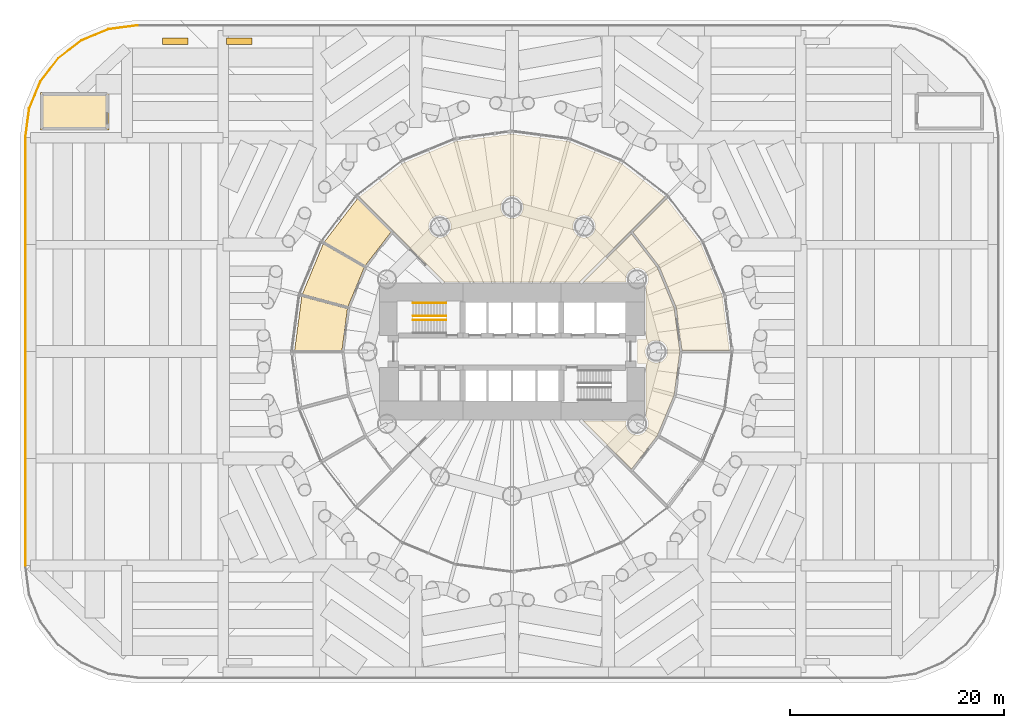
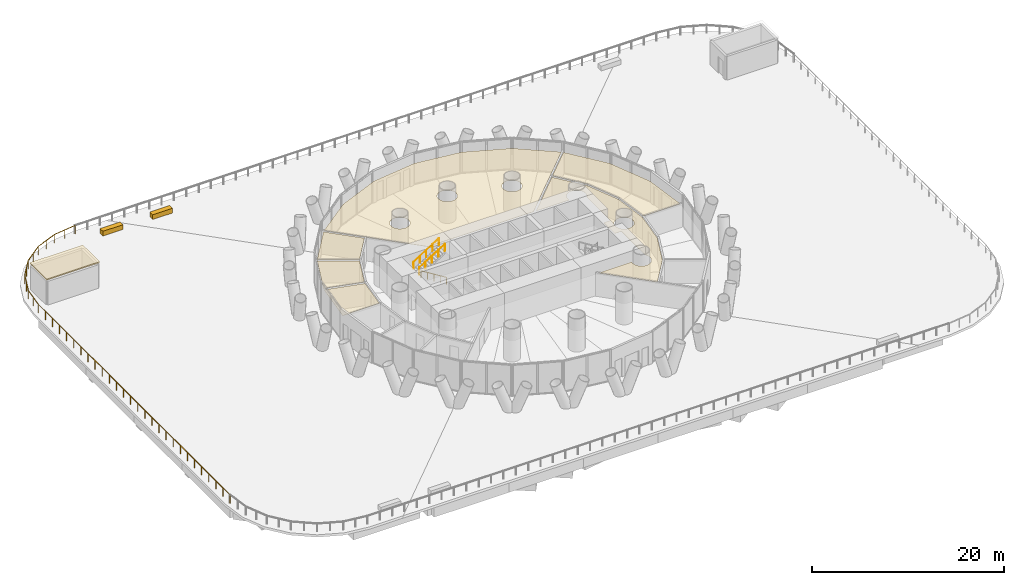
# One storey, part 18 of 19: 9 coverings, 4 railings.
"""IFC4 building model written with IfcOpenShell, lengths in metres."""

import ifcopenshell
import ifcopenshell.guid

model = None  # the IFC model being written
_history = None  # IfcOwnerHistory: only IFC2X3 demands one
_inside = {}  # id of a spatial element -> (the spatial element, [elements in it])
_under = {}  # id of a project, library or spatial element -> (it, [spatial elements below it])
_declared = {}  # id of a project -> (the project, [libraries it declares])
_typed = {}  # id of a type object -> (the type object, [elements of that type])
_made_of = {}  # id of a material, layer set ... -> (it, [elements and type objects made of it])


def new_model(schema):
    """Start an empty IFC model of exactly this schema.

    Asked for "IFC4X3", IfcOpenShell would pick the latest addendum, in which some entities
    have other attributes; the version numbers below select the first issue.
    IFC2X3 requires an IfcOwnerHistory on every rooted entity: one is made here for all.
    """
    global model, _history
    if schema == "IFC4X3":
        model = ifcopenshell.file(schema_version=(4, 3, 0, 0))
    else:
        model = ifcopenshell.file(schema=schema)
    _inside.clear()
    _under.clear()
    _declared.clear()
    _typed.clear()
    _made_of.clear()
    _history = None
    if model.schema == "IFC2X3":
        org = make("IfcOrganization", Name="unknown")
        user = make(
            "IfcPersonAndOrganization",
            ThePerson=make("IfcPerson", FamilyName="unknown"),
            TheOrganization=org,
        )
        app = make(
            "IfcApplication",
            ApplicationDeveloper=org,
            Version="unknown",
            ApplicationFullName="unknown",
            ApplicationIdentifier="unknown",
        )
        _history = make(
            "IfcOwnerHistory",
            OwningUser=user,
            OwningApplication=app,
            ChangeAction="ADDED",
            CreationDate=0,
        )
    return model


def make(cls, **values):
    """One entity of the class cls with the attributes given. An attribute that is None is left unset."""
    return model.create_entity(
        cls, **{name: value for name, value in values.items() if value is not None}
    )


def rooted(cls, **values):
    """An entity with a GlobalId (a new one), such as an element, a storey or a relation."""
    return make(cls, GlobalId=ifcopenshell.guid.new(), OwnerHistory=_history, **values)


def si_unit(unit_type, name, prefix=None):
    """IfcSIUnit, for example si_unit("LENGTHUNIT", "METRE", prefix="MILLI")."""
    return make("IfcSIUnit", UnitType=unit_type, Prefix=prefix, Name=name)


def assignment(units):
    """IfcUnitAssignment: the units of a project."""
    return None if units is None else make("IfcUnitAssignment", Units=units)


def point(xyz):
    """IfcCartesianPoint."""
    return None if xyz is None else make("IfcCartesianPoint", Coordinates=xyz)


def direction(xyz):
    """IfcDirection."""
    return None if xyz is None else make("IfcDirection", DirectionRatios=xyz)


def frame(location, z_axis=None, x_axis=None):
    """IfcAxis2Placement3D, a coordinate frame: its origin and axes. An axis left out is left unset."""
    return make(
        "IfcAxis2Placement3D",
        Location=point(location),
        Axis=direction(z_axis),
        RefDirection=direction(x_axis),
    )


def frame_2d(location, x_axis=None):
    """IfcAxis2Placement2D, a coordinate frame in the plane: its origin and x axis."""
    return make(
        "IfcAxis2Placement2D", Location=point(location), RefDirection=direction(x_axis)
    )


def origin():
    """The frame at (0, 0, 0) with its axes left unset."""
    return frame((0.0, 0.0, 0.0))


def origin_2d():
    """The frame at (0, 0) in the plane with its x axis left unset."""
    return frame_2d((0.0, 0.0))


def place(relative_to, where):
    """IfcLocalPlacement: puts the frame where relative to a parent placement (None: the world)."""
    return make(
        "IfcLocalPlacement", PlacementRelTo=relative_to, RelativePlacement=where
    )


def context(
    kind, dimensions, precision=None, world=None, true_north=None, identifier=None
):
    """IfcGeometricRepresentationContext, for example the 3D "Model" context."""
    return make(
        "IfcGeometricRepresentationContext",
        ContextIdentifier=identifier,
        ContextType=kind,
        CoordinateSpaceDimension=dimensions,
        Precision=precision,
        WorldCoordinateSystem=world,
        TrueNorth=true_north,
    )


def subcontext(parent, identifier, kind, view, scale=None):
    """IfcGeometricRepresentationSubContext, for example "Body" below "Model"."""
    return make(
        "IfcGeometricRepresentationSubContext",
        ContextIdentifier=identifier,
        ContextType=kind,
        ParentContext=parent,
        TargetScale=scale,
        TargetView=view,
    )


def project(units=None, contexts=None):
    """IfcProject with its units and contexts."""
    return rooted(
        "IfcProject",
        Name="project",
        RepresentationContexts=contexts,
        UnitsInContext=assignment(units),
    )


def spatial(cls, under=None, at=None, **own):
    """A site, building, storey or space (cls), placed at a placement, below another one or the project."""
    s = rooted(cls, ObjectPlacement=at, **own)
    if under is not None:
        _under.setdefault(under.id(), (under, []))[1].append(s)
    return s


def polyline(points):
    """IfcPolyline through the points."""
    return make("IfcPolyline", Points=[point(p) for p in points])


def profile(cls, at=None, kind="AREA", **sizes):
    """A parametric profile (cls). Its sizes go by their IFC names, for example OverallWidth=200.0."""
    return make(cls, ProfileType=kind, Position=at, **sizes)


def rectangle(**sizes):
    """IfcRectangleProfileDef."""
    return profile("IfcRectangleProfileDef", **sizes)


def circle(**sizes):
    """IfcCircleProfileDef."""
    return profile("IfcCircleProfileDef", **sizes)


def outline(outer, holes=None, kind="AREA"):
    """IfcArbitraryClosedProfileDef: a profile drawn as a closed curve; with holes, ...WithVoids."""
    if holes is None:
        return make("IfcArbitraryClosedProfileDef", ProfileType=kind, OuterCurve=outer)
    return make(
        "IfcArbitraryProfileDefWithVoids",
        ProfileType=kind,
        OuterCurve=outer,
        InnerCurves=holes,
    )


def extrude(swept, where, along, depth):
    """IfcExtrudedAreaSolid: the profile swept, set in the frame where, extruded along a direction by depth."""
    return make(
        "IfcExtrudedAreaSolid",
        SweptArea=swept,
        Position=where,
        ExtrudedDirection=direction(along),
        Depth=depth,
    )


def shape(context_of_items, identifier, shape_type, items):
    """IfcShapeRepresentation: the items that make up one representation, for example the "Body"."""
    return make(
        "IfcShapeRepresentation",
        ContextOfItems=context_of_items,
        RepresentationIdentifier=identifier,
        RepresentationType=shape_type,
        Items=items,
    )


def material(Name=None, Category=None):
    """IfcMaterial."""
    return make("IfcMaterial", Name=Name, Category=Category)


def layer(
    of_material, thickness, ventilated=None, Name=None, Category=None, Priority=None
):
    """IfcMaterialLayer: one layer of a wall or slab, of a material (None: an air gap)."""
    return make(
        "IfcMaterialLayer",
        Material=of_material,
        LayerThickness=thickness,
        IsVentilated=ventilated,
        Name=Name,
        Category=Category,
        Priority=Priority,
    )


def layer_set(layers, Name=None):
    """IfcMaterialLayerSet."""
    return make("IfcMaterialLayerSet", MaterialLayers=layers, LayerSetName=Name)


def made_of(thing, what):
    """Note that an element or type object is made of a material, layer set ...; save() writes the relation."""
    if what is not None:
        _made_of.setdefault(what.id(), (what, []))[1].append(thing)
    return thing


def type_object(cls, material=None, **own):
    """A type object (cls), such as IfcWallType, which elements share."""
    return made_of(rooted(cls, **own), material)


def element(
    cls,
    number,
    at=None,
    inside=None,
    cuts=None,
    type_object=None,
    material=None,
    context=None,
    identifier="Body",
    shape_type=None,
    held_by="IfcProductDefinitionShape",
    body=None,
    shapes=None,
    **own,
):
    """One element of the class cls, such as IfcWall. Its Tag is "e" and its number.

    at: its placement. inside: the storey or other place that contains it. cuts: it is an
    opening in that element (IfcRelVoidsElement). A single representation is given by context,
    identifier, shape_type and body (its items); several are given by shapes. held_by: the class
    of the entity that holds the representations. save() writes the other relations.
    """
    e = rooted(cls, Tag="e%d" % number, ObjectPlacement=at, **own)
    if body is not None:
        shapes = [shape(context, identifier, shape_type, body)]
    if shapes is not None:
        e.Representation = make(held_by, Representations=shapes)
    if inside is not None:
        _inside.setdefault(inside.id(), (inside, []))[1].append(e)
    if cuts is not None:
        rooted(
            "IfcRelVoidsElement", RelatingBuildingElement=cuts, RelatedOpeningElement=e
        )
    if type_object is not None:
        _typed.setdefault(type_object.id(), (type_object, []))[1].append(e)
    return made_of(e, material)


def aggregate(whole, parts):
    """IfcRelAggregates: a whole, such as a stair, and the parts it consists of."""
    return rooted("IfcRelAggregates", RelatingObject=whole, RelatedObjects=parts)


def save(model, path):
    """Write the relations noted so far, then the file.

    IfcRelAggregates (storeys below a building ...), IfcRelContainedInSpatialStructure (elements
    in a storey), IfcRelDefinesByType, IfcRelAssociatesMaterial and IfcRelDeclares: one each for
    every whole, place, type object, material and project.
    """
    for whole, parts in _under.values():
        aggregate(whole, parts)
    for where, things in _inside.values():
        rooted(
            "IfcRelContainedInSpatialStructure",
            RelatedElements=things,
            RelatingStructure=where,
        )
    for kind, things in _typed.values():
        rooted("IfcRelDefinesByType", RelatedObjects=things, RelatingType=kind)
    for what, things in _made_of.values():
        rooted("IfcRelAssociatesMaterial", RelatedObjects=things, RelatingMaterial=what)
    for by, libraries in _declared.values():
        rooted("IfcRelDeclares", RelatingContext=by, RelatedDefinitions=libraries)
    model.write(path)


model = new_model("IFC4")

# Units and contexts
model_context = context("Model", 3, precision=1e-05, world=origin(), true_north=direction((0.0, 1.0)))
body_context = subcontext(model_context, "Body", "Model", "MODEL_VIEW")
ifc_project = project(units=[si_unit("LENGTHUNIT", "METRE"), si_unit("AREAUNIT", "SQUARE_METRE"), si_unit("VOLUMEUNIT", "CUBIC_METRE"), si_unit("PLANEANGLEUNIT", "RADIAN"), si_unit("MASSUNIT", "GRAM", prefix="KILO")], contexts=[model_context])

# Site, building, storey
site_placement = place(None, origin())
site = spatial("IfcSite", under=ifc_project, at=site_placement, CompositionType="ELEMENT")
building_placement = place(site_placement, origin())
building = spatial("IfcBuilding", under=site, at=building_placement, Name="Qaws Media Tower", CompositionType="ELEMENT")
storey_placement = place(building_placement, frame((0.0, 0.0, 26.0)))
storey = spatial("IfcBuildingStorey", under=building, at=storey_placement, Name="L04", CompositionType="ELEMENT", Elevation=26.0)

# Coverings
ifc_material_1 = material(Name="40 perforated acoustic panels with mineral wool backing, suspended", Category="mineral fibre")
ifc_layer_1 = layer(ifc_material_1, 0.0400390625)
ifc_layer_set_1 = layer_set([ifc_layer_1], Name="Acoustic panel ceiling 40")
covering_type_1 = type_object("IfcCoveringType", Name="Acoustic panel ceiling 40", PredefinedType="CEILING", material=ifc_layer_set_1)
covering_1_placement = place(storey_placement, frame((0.0, 0.0, 2.85009765625)))
element("IfcCovering", 1, at=covering_1_placement, inside=storey, type_object=covering_type_1, Name="CL3 ceiling L04-02 Newsroom", PredefinedType="CEILING", context=body_context, shape_type="SweptSolid", body=[
    extrude(outline(polyline([(77.61083984375, 60.16748046875), (79.642333984375, 55.26318359375), (80.3203125, 50.112548828125), (75.898681640625, 50.112548828125), (75.37109375, 54.11865234375), (73.781494140625, 57.956787109375), (71.321533203125, 61.16259765625), (74.4482421875, 64.289306640625), (77.61083984375, 60.16748046875)])), origin(), (0.0, 0.0, 1.0), 0.039794921875),
])
covering_2_placement = place(storey_placement, frame((0.0, 0.0, 2.85009765625)))
element("IfcCovering", 2, at=covering_2_placement, inside=storey, type_object=covering_type_1, Name="CL3 ceiling L04-03 Newsroom hub", PredefinedType="CEILING", context=body_context, shape_type="SweptSolid", body=[
    extrude(outline(polyline([(49.83251953125, 67.61083984375), (54.73681640625, 69.642333984375), (60.0, 70.335205078125), (65.26318359375, 69.642333984375), (70.16748046875, 67.61083984375), (74.289306640625, 64.4482421875), (66.353515625, 56.512451171875), (53.646484375, 56.512451171875), (45.710693359375, 64.4482421875), (49.83251953125, 67.61083984375)]), holes=[polyline([(54.229248046875, 61.28564453125), (54.27392578125, 61.4169921875), (54.30078125, 61.552978515625), (54.31005859375, 61.69140625), (54.30078125, 61.82958984375), (54.27392578125, 61.9658203125), (54.229248046875, 62.096923828125), (54.16796875, 62.22119140625), (54.091064453125, 62.336669921875), (53.99951171875, 62.44091796875), (53.895263671875, 62.5322265625), (53.780029296875, 62.609375), (53.655517578125, 62.670654296875), (53.5244140625, 62.715087890625), (53.388427734375, 62.7421875), (53.25, 62.751220703125), (53.111572265625, 62.7421875), (52.9755859375, 62.715087890625), (52.844482421875, 62.670654296875), (52.719970703125, 62.609375), (52.604736328125, 62.5322265625), (52.50048828125, 62.44091796875), (52.408935546875, 62.336669921875), (52.33203125, 62.22119140625), (52.270751953125, 62.096923828125), (52.22607421875, 61.9658203125), (52.19921875, 61.82958984375), (52.18994140625, 61.69140625), (52.19921875, 61.552978515625), (52.22607421875, 61.4169921875), (52.270751953125, 61.28564453125), (52.33203125, 61.161376953125), (52.408935546875, 61.046142578125), (52.50048828125, 60.94189453125), (52.604736328125, 60.850341796875), (52.719970703125, 60.7734375), (52.844482421875, 60.7119140625), (52.9755859375, 60.66748046875), (53.111572265625, 60.640380859375), (53.25, 60.63134765625), (53.388427734375, 60.640380859375), (53.5244140625, 60.66748046875), (53.655517578125, 60.7119140625), (53.780029296875, 60.7734375), (53.895263671875, 60.850341796875), (53.99951171875, 60.94189453125), (54.091064453125, 61.046142578125), (54.16796875, 61.161376953125), (54.229248046875, 61.28564453125)]), polyline([(60.979248046875, 63.094482421875), (61.02392578125, 63.2255859375), (61.05078125, 63.361572265625), (61.06005859375, 63.5), (61.05078125, 63.638427734375), (61.02392578125, 63.7744140625), (60.979248046875, 63.905517578125), (60.91796875, 64.030029296875), (60.841064453125, 64.145263671875), (60.74951171875, 64.24951171875), (60.645263671875, 64.341064453125), (60.530029296875, 64.41796875), (60.405517578125, 64.479248046875), (60.2744140625, 64.52392578125), (60.138427734375, 64.55078125), (60.0, 64.56005859375), (59.861572265625, 64.55078125), (59.7255859375, 64.52392578125), (59.594482421875, 64.479248046875), (59.469970703125, 64.41796875), (59.354736328125, 64.341064453125), (59.25048828125, 64.24951171875), (59.158935546875, 64.145263671875), (59.08203125, 64.030029296875), (59.020751953125, 63.905517578125), (58.97607421875, 63.7744140625), (58.94921875, 63.638427734375), (58.93994140625, 63.5), (58.94921875, 63.361572265625), (58.97607421875, 63.2255859375), (59.020751953125, 63.094482421875), (59.08203125, 62.969970703125), (59.158935546875, 62.854736328125), (59.25048828125, 62.75048828125), (59.354736328125, 62.658935546875), (59.469970703125, 62.58203125), (59.594482421875, 62.520751953125), (59.7255859375, 62.47607421875), (59.861572265625, 62.44921875), (60.0, 62.43994140625), (60.138427734375, 62.44921875), (60.2744140625, 62.47607421875), (60.405517578125, 62.520751953125), (60.530029296875, 62.58203125), (60.645263671875, 62.658935546875), (60.74951171875, 62.75048828125), (60.841064453125, 62.854736328125), (60.91796875, 62.969970703125), (60.979248046875, 63.094482421875)]), polyline([(67.729248046875, 61.28564453125), (67.77392578125, 61.4169921875), (67.80078125, 61.552978515625), (67.81005859375, 61.69140625), (67.80078125, 61.82958984375), (67.77392578125, 61.9658203125), (67.729248046875, 62.096923828125), (67.66796875, 62.22119140625), (67.591064453125, 62.336669921875), (67.49951171875, 62.44091796875), (67.395263671875, 62.5322265625), (67.280029296875, 62.609375), (67.155517578125, 62.670654296875), (67.0244140625, 62.715087890625), (66.888427734375, 62.7421875), (66.75, 62.751220703125), (66.611572265625, 62.7421875), (66.4755859375, 62.715087890625), (66.344482421875, 62.670654296875), (66.219970703125, 62.609375), (66.104736328125, 62.5322265625), (66.00048828125, 62.44091796875), (65.908935546875, 62.336669921875), (65.83203125, 62.22119140625), (65.770751953125, 62.096923828125), (65.72607421875, 61.9658203125), (65.69921875, 61.82958984375), (65.68994140625, 61.69140625), (65.69921875, 61.552978515625), (65.72607421875, 61.4169921875), (65.770751953125, 61.28564453125), (65.83203125, 61.161376953125), (65.908935546875, 61.046142578125), (66.00048828125, 60.94189453125), (66.104736328125, 60.850341796875), (66.219970703125, 60.7734375), (66.344482421875, 60.7119140625), (66.4755859375, 60.66748046875), (66.611572265625, 60.640380859375), (66.75, 60.63134765625), (66.888427734375, 60.640380859375), (67.0244140625, 60.66748046875), (67.155517578125, 60.7119140625), (67.280029296875, 60.7734375), (67.395263671875, 60.850341796875), (67.49951171875, 60.94189453125), (67.591064453125, 61.046142578125), (67.66796875, 61.161376953125), (67.729248046875, 61.28564453125)])]), origin(), (0.0, 0.0, 1.0), 0.039794921875),
])

# Railing
ifc_material_2 = material(Name="Stainless steel and glass guard", Category="steel")
railing_type_1 = type_object("IfcRailingType", Name="Balcony guard 1100", PredefinedType="GUARDRAIL", material=ifc_material_2)
railing_1_placement = place(storey_placement, frame((25.0, 80.5, 0.0)))
element("IfcRailing", 3, at=railing_1_placement, inside=storey, type_object=railing_type_1, Name="GR1 roof garden guard 3", PredefinedType="GUARDRAIL", context=body_context, shape_type="SweptSolid", body=[
    extrude(circle(Radius=0.02392578125, at=origin_2d()), frame((0.0, 0.0, 1.076171875), z_axis=(-0.991449747406, -0.130489073753, 0.0), x_axis=(0.130489073753, -0.991449747406, 0.0)), (0.0, 0.0, 1.0), 2.740966796875),
    extrude(circle(Radius=0.02392578125, at=origin_2d()), frame((-2.717529296875, -0.357666015625, 1.076171875), z_axis=(-0.923868110443, -0.382711006514, 0.0), x_axis=(0.382711006514, -0.923868110443, 0.0)), (0.0, 0.0, 1.0), 2.7412109375),
    extrude(circle(Radius=0.02392578125, at=origin_2d()), frame((-5.25, -1.40673828125, 1.076171875), z_axis=(-0.793335336593, -0.608784891166, 0.0), x_axis=(0.608784891166, -0.793335336593, 0.0)), (0.0, 0.0, 1.0), 2.740966796875),
    extrude(circle(Radius=0.02392578125, at=origin_2d()), frame((-7.424560546875, -3.075439453125, 1.076171875), z_axis=(-0.608784891166, -0.793335336593, 0.0), x_axis=(0.793335336593, -0.608784891166, 0.0)), (0.0, 0.0, 1.0), 2.740966796875),
    extrude(circle(Radius=0.02392578125, at=origin_2d()), frame((-9.09326171875, -5.25, 1.076171875), z_axis=(-0.382711006514, -0.923868110443, 0.0), x_axis=(0.923868110443, -0.382711006514, 0.0)), (0.0, 0.0, 1.0), 2.7412109375),
    extrude(circle(Radius=0.02392578125, at=origin_2d()), frame((-10.142333984375, -7.782470703125, 1.076171875), z_axis=(-0.130489073753, -0.991449747406, 0.0), x_axis=(0.991449747406, -0.130489073753, 0.0)), (0.0, 0.0, 1.0), 2.740966796875),
    extrude(circle(Radius=0.02392578125, at=origin_2d()), frame((-10.5, -10.5, 1.076171875), z_axis=(0.0, -1.0, 0.0), x_axis=(1.0, 0.0, 0.0)), (0.0, 0.0, 1.0), 40.0),
    extrude(circle(Radius=0.02099609375, at=origin_2d()), origin(), (0.0, 0.0, 1.0), 1.052001953125),
    extrude(circle(Radius=0.02099609375, at=origin_2d()), frame((-1.35888671875, -0.1787109375, 0.0)), (0.0, 0.0, 1.0), 1.052001953125),
    extrude(circle(Radius=0.02099609375, at=origin_2d()), frame((-2.717529296875, -0.357666015625, 0.0)), (0.0, 0.0, 1.0), 1.052001953125),
    extrude(circle(Radius=0.02099609375, at=origin_2d()), frame((-3.98388671875, -0.88232421875, 0.0)), (0.0, 0.0, 1.0), 1.052001953125),
    extrude(circle(Radius=0.02099609375, at=origin_2d()), frame((-5.25, -1.40673828125, 0.0)), (0.0, 0.0, 1.0), 1.052001953125),
    extrude(circle(Radius=0.02099609375, at=origin_2d()), frame((-6.33740234375, -2.2412109375, 0.0)), (0.0, 0.0, 1.0), 1.052001953125),
    extrude(circle(Radius=0.02099609375, at=origin_2d()), frame((-7.424560546875, -3.075439453125, 0.0)), (0.0, 0.0, 1.0), 1.052001953125),
    extrude(circle(Radius=0.02099609375, at=origin_2d()), frame((-8.2587890625, -4.16259765625, 0.0)), (0.0, 0.0, 1.0), 1.052001953125),
    extrude(circle(Radius=0.02099609375, at=origin_2d()), frame((-9.09326171875, -5.25, 0.0)), (0.0, 0.0, 1.0), 1.052001953125),
    extrude(circle(Radius=0.02099609375, at=origin_2d()), frame((-9.61767578125, -6.51611328125, 0.0)), (0.0, 0.0, 1.0), 1.052001953125),
    extrude(circle(Radius=0.02099609375, at=origin_2d()), frame((-10.142333984375, -7.782470703125, 0.0)), (0.0, 0.0, 1.0), 1.052001953125),
    extrude(circle(Radius=0.02099609375, at=origin_2d()), frame((-10.3212890625, -9.14111328125, 0.0)), (0.0, 0.0, 1.0), 1.052001953125),
    extrude(circle(Radius=0.02099609375, at=origin_2d()), frame((-10.5, -10.5, 0.0)), (0.0, 0.0, 1.0), 1.052001953125),
    extrude(circle(Radius=0.02099609375, at=origin_2d()), frame((-10.5, -11.9814453125, 0.0)), (0.0, 0.0, 1.0), 1.052001953125),
    extrude(circle(Radius=0.02099609375, at=origin_2d()), frame((-10.5, -13.462890625, 0.0)), (0.0, 0.0, 1.0), 1.052001953125),
    extrude(circle(Radius=0.02099609375, at=origin_2d()), frame((-10.5, -14.9443359375, 0.0)), (0.0, 0.0, 1.0), 1.052001953125),
    extrude(circle(Radius=0.02099609375, at=origin_2d()), frame((-10.5, -16.426025390625, 0.0)), (0.0, 0.0, 1.0), 1.052001953125),
    extrude(circle(Radius=0.02099609375, at=origin_2d()), frame((-10.5, -17.907470703125, 0.0)), (0.0, 0.0, 1.0), 1.052001953125),
    extrude(circle(Radius=0.02099609375, at=origin_2d()), frame((-10.5, -19.388916015625, 0.0)), (0.0, 0.0, 1.0), 1.052001953125),
    extrude(circle(Radius=0.02099609375, at=origin_2d()), frame((-10.5, -20.870361328125, 0.0)), (0.0, 0.0, 1.0), 1.052001953125),
    extrude(circle(Radius=0.02099609375, at=origin_2d()), frame((-10.5, -22.351806640625, 0.0)), (0.0, 0.0, 1.0), 1.052001953125),
    extrude(circle(Radius=0.02099609375, at=origin_2d()), frame((-10.5, -23.833251953125, 0.0)), (0.0, 0.0, 1.0), 1.052001953125),
    extrude(circle(Radius=0.02099609375, at=origin_2d()), frame((-10.5, -25.314697265625, 0.0)), (0.0, 0.0, 1.0), 1.052001953125),
    extrude(circle(Radius=0.02099609375, at=origin_2d()), frame((-10.5, -26.79638671875, 0.0)), (0.0, 0.0, 1.0), 1.052001953125),
    extrude(circle(Radius=0.02099609375, at=origin_2d()), frame((-10.5, -28.27783203125, 0.0)), (0.0, 0.0, 1.0), 1.052001953125),
    extrude(circle(Radius=0.02099609375, at=origin_2d()), frame((-10.5, -29.75927734375, 0.0)), (0.0, 0.0, 1.0), 1.052001953125),
    extrude(circle(Radius=0.02099609375, at=origin_2d()), frame((-10.5, -31.24072265625, 0.0)), (0.0, 0.0, 1.0), 1.052001953125),
    extrude(circle(Radius=0.02099609375, at=origin_2d()), frame((-10.5, -32.72216796875, 0.0)), (0.0, 0.0, 1.0), 1.052001953125),
    extrude(circle(Radius=0.02099609375, at=origin_2d()), frame((-10.5, -34.20361328125, 0.0)), (0.0, 0.0, 1.0), 1.052001953125),
    extrude(circle(Radius=0.02099609375, at=origin_2d()), frame((-10.5, -35.685302734375, 0.0)), (0.0, 0.0, 1.0), 1.052001953125),
    extrude(circle(Radius=0.02099609375, at=origin_2d()), frame((-10.5, -37.166748046875, 0.0)), (0.0, 0.0, 1.0), 1.052001953125),
    extrude(circle(Radius=0.02099609375, at=origin_2d()), frame((-10.5, -38.648193359375, 0.0)), (0.0, 0.0, 1.0), 1.052001953125),
    extrude(circle(Radius=0.02099609375, at=origin_2d()), frame((-10.5, -40.129638671875, 0.0)), (0.0, 0.0, 1.0), 1.052001953125),
    extrude(circle(Radius=0.02099609375, at=origin_2d()), frame((-10.5, -41.611083984375, 0.0)), (0.0, 0.0, 1.0), 1.052001953125),
    extrude(circle(Radius=0.02099609375, at=origin_2d()), frame((-10.5, -43.092529296875, 0.0)), (0.0, 0.0, 1.0), 1.052001953125),
    extrude(circle(Radius=0.02099609375, at=origin_2d()), frame((-10.5, -44.573974609375, 0.0)), (0.0, 0.0, 1.0), 1.052001953125),
    extrude(circle(Radius=0.02099609375, at=origin_2d()), frame((-10.5, -46.0556640625, 0.0)), (0.0, 0.0, 1.0), 1.052001953125),
    extrude(circle(Radius=0.02099609375, at=origin_2d()), frame((-10.5, -47.537109375, 0.0)), (0.0, 0.0, 1.0), 1.052001953125),
    extrude(circle(Radius=0.02099609375, at=origin_2d()), frame((-10.5, -49.0185546875, 0.0)), (0.0, 0.0, 1.0), 1.052001953125),
    extrude(circle(Radius=0.02099609375, at=origin_2d()), frame((-10.5, -50.5, 0.0)), (0.0, 0.0, 1.0), 1.052001953125),
])

# Coverings
ifc_material_3 = material(Name="Single-ply membrane on 100 PIR insulation on vapour control layer", Category="membrane")
ifc_layer_2 = layer(ifc_material_3, 0.14990234375)
ifc_layer_set_2 = layer_set([ifc_layer_2], Name="Head-house roofing 150")
covering_type_2 = type_object("IfcCoveringType", Name="Head-house roofing 150", PredefinedType="ROOFING", material=ifc_layer_set_2)
covering_3_placement = place(storey_placement, frame((0.0, 0.0, 3.199951171875)))
element("IfcCovering", 4, at=covering_3_placement, inside=storey, type_object=covering_type_2, Name="RF2 stair S3 head-house roofing", PredefinedType="ROOFING", context=body_context, shape_type="SweptSolid", body=[
    extrude(outline(polyline([(15.89990234375, 70.699951171875), (22.300048828125, 70.699951171875), (22.300048828125, 74.199951171875), (15.89990234375, 74.199951171875), (15.89990234375, 70.699951171875)])), origin(), (0.0, 0.0, 1.0), 0.150146484375),
])
ifc_material_4 = material(Name="600 x 600 mineral fibre tiles in exposed grid, suspended", Category="mineral fibre")
ifc_layer_3 = layer(ifc_material_4, 0.02001953125)
ifc_layer_set_3 = layer_set([ifc_layer_3], Name="Mineral fibre tile ceiling 20")
covering_type_3 = type_object("IfcCoveringType", Name="Mineral fibre tile ceiling 20", PredefinedType="CEILING", material=ifc_layer_set_3)
covering_4_placement = place(storey_placement, frame((0.0, 0.0, 2.85009765625)))
element("IfcCovering", 5, at=covering_4_placement, inside=storey, type_object=covering_type_3, Name="CL1 ceiling L04-01-1 Corridor", PredefinedType="CEILING", context=body_context, shape_type="SweptSolid", body=[
    extrude(outline(polyline([(73.5849609375, 57.84326171875), (75.152099609375, 54.06005859375), (75.6865234375, 50.0), (75.152099609375, 45.93994140625), (73.5849609375, 42.15673828125), (71.1611328125, 38.998046875), (66.671630859375, 43.487548828125), (70.66015625, 43.487548828125), (70.640380859375, 43.388427734375), (70.63134765625, 43.25), (70.640380859375, 43.111572265625), (70.66748046875, 42.9755859375), (70.7119140625, 42.844482421875), (70.7734375, 42.719970703125), (70.850341796875, 42.604736328125), (70.94189453125, 42.50048828125), (71.046142578125, 42.408935546875), (71.161376953125, 42.33203125), (71.28564453125, 42.270751953125), (71.4169921875, 42.22607421875), (71.552978515625, 42.19921875), (71.69140625, 42.18994140625), (71.82958984375, 42.19921875), (71.9658203125, 42.22607421875), (72.096923828125, 42.270751953125), (72.22119140625, 42.33203125), (72.336669921875, 42.408935546875), (72.44091796875, 42.50048828125), (72.5322265625, 42.604736328125), (72.609375, 42.719970703125), (72.670654296875, 42.844482421875), (72.715087890625, 42.9755859375), (72.7421875, 43.111572265625), (72.751220703125, 43.25), (72.7421875, 43.388427734375), (72.715087890625, 43.5244140625), (72.670654296875, 43.655517578125), (72.609375, 43.780029296875), (72.5322265625, 43.895263671875), (72.512451171875, 43.91796875), (72.512451171875, 48.862548828125), (71.71240234375, 48.862548828125), (71.71240234375, 51.137451171875), (72.512451171875, 51.137451171875), (72.512451171875, 56.08203125), (72.5322265625, 56.104736328125), (72.609375, 56.219970703125), (72.670654296875, 56.344482421875), (72.715087890625, 56.4755859375), (72.7421875, 56.611572265625), (72.751220703125, 56.75), (72.7421875, 56.888427734375), (72.715087890625, 57.0244140625), (72.670654296875, 57.155517578125), (72.609375, 57.280029296875), (72.5322265625, 57.395263671875), (72.44091796875, 57.49951171875), (72.336669921875, 57.591064453125), (72.22119140625, 57.66796875), (72.096923828125, 57.729248046875), (71.9658203125, 57.77392578125), (71.82958984375, 57.80078125), (71.69140625, 57.81005859375), (71.552978515625, 57.80078125), (71.4169921875, 57.77392578125), (71.28564453125, 57.729248046875), (71.161376953125, 57.66796875), (71.046142578125, 57.591064453125), (70.94189453125, 57.49951171875), (70.850341796875, 57.395263671875), (70.7734375, 57.280029296875), (70.7119140625, 57.155517578125), (70.66748046875, 57.0244140625), (70.640380859375, 56.888427734375), (70.63134765625, 56.75), (70.640380859375, 56.611572265625), (70.66015625, 56.512451171875), (66.671630859375, 56.512451171875), (71.1611328125, 61.001953125), (73.5849609375, 57.84326171875)]), holes=[polyline([(74.52392578125, 49.7255859375), (74.55078125, 49.861572265625), (74.56005859375, 50.0), (74.55078125, 50.138427734375), (74.52392578125, 50.2744140625), (74.479248046875, 50.405517578125), (74.41796875, 50.530029296875), (74.341064453125, 50.645263671875), (74.24951171875, 50.74951171875), (74.145263671875, 50.841064453125), (74.030029296875, 50.91796875), (73.905517578125, 50.979248046875), (73.7744140625, 51.02392578125), (73.638427734375, 51.05078125), (73.5, 51.06005859375), (73.361572265625, 51.05078125), (73.2255859375, 51.02392578125), (73.094482421875, 50.979248046875), (72.969970703125, 50.91796875), (72.854736328125, 50.841064453125), (72.75048828125, 50.74951171875), (72.658935546875, 50.645263671875), (72.58203125, 50.530029296875), (72.520751953125, 50.405517578125), (72.47607421875, 50.2744140625), (72.44921875, 50.138427734375), (72.43994140625, 50.0), (72.44921875, 49.861572265625), (72.47607421875, 49.7255859375), (72.520751953125, 49.594482421875), (72.58203125, 49.469970703125), (72.658935546875, 49.354736328125), (72.75048828125, 49.25048828125), (72.854736328125, 49.158935546875), (72.969970703125, 49.08203125), (73.094482421875, 49.020751953125), (73.2255859375, 48.97607421875), (73.361572265625, 48.94921875), (73.5, 48.93994140625), (73.638427734375, 48.94921875), (73.7744140625, 48.97607421875), (73.905517578125, 49.020751953125), (74.030029296875, 49.08203125), (74.145263671875, 49.158935546875), (74.24951171875, 49.25048828125), (74.341064453125, 49.354736328125), (74.41796875, 49.469970703125), (74.479248046875, 49.594482421875), (74.52392578125, 49.7255859375)])]), origin(), (0.0, 0.0, 1.0), 0.02001953125),
])
ifc_material_5 = material(Name="Precast concrete planter with trailing planting", Category="concrete")
ifc_layer_4 = layer(ifc_material_5, 0.60009765625)
ifc_layer_set_4 = layer_set([ifc_layer_4], Name="Planter 2400x600")
covering_type_4 = type_object("IfcCoveringType", Name="Planter 2400x600", PredefinedType="USERDEFINED", material=ifc_layer_set_4)
for number, where, z_axis, x_axis, name in (
    (6, (28.5, 79.0, 0.0), (0.0, 0.0, 1.0), (1.0, 0.0, 0.0), "PL1 roof garden planter 4"),
    (7, (34.5, 79.0, 0.0), (0.0, 0.0, 1.0), (1.0, 0.0, 0.0), "PL1 roof garden planter 5"),
):
    element("IfcCovering", number, at=place(storey_placement, frame(where, z_axis=z_axis, x_axis=x_axis)), inside=storey, type_object=covering_type_4, Name=name, ObjectType="PLANTER", PredefinedType="USERDEFINED", context=body_context, shape_type="SweptSolid", body=[
        extrude(rectangle(XDim=2.39990234375, YDim=0.60009765625, at=origin_2d()), origin(), (0.0, 0.0, 1.0), 0.60009765625),
    ])
ifc_material_6 = material(Name="Two layers 12.5 moisture-resistant plasterboard on suspended metal furring", Category="gypsum")
ifc_layer_5 = layer(ifc_material_6, 0.02490234375)
ifc_layer_set_5 = layer_set([ifc_layer_5], Name="Plasterboard ceiling 25")
covering_type_5 = type_object("IfcCoveringType", Name="Plasterboard ceiling 25", PredefinedType="CEILING", material=ifc_layer_set_5)
covering_5_placement = place(storey_placement, frame((0.0, 0.0, 2.85009765625)))
element("IfcCovering", 8, at=covering_5_placement, inside=storey, type_object=covering_type_5, Name="CL2 ceiling L04-04 Editor's office", PredefinedType="CEILING", context=body_context, shape_type="SweptSolid", body=[
    extrude(outline(polyline([(45.5517578125, 64.289306640625), (48.678466796875, 61.16259765625), (46.28759765625, 58.046875), (42.458251953125, 60.257568359375), (45.5517578125, 64.289306640625)])), origin(), (0.0, 0.0, 1.0), 0.02490234375),
])
covering_6_placement = place(storey_placement, frame((0.0, 0.0, 2.85009765625)))
element("IfcCovering", 9, at=covering_6_placement, inside=storey, type_object=covering_type_5, Name="CL2 ceiling L04-05 Editor's office", PredefinedType="CEILING", context=body_context, shape_type="SweptSolid", body=[
    extrude(outline(polyline([(42.345703125, 60.062744140625), (46.175048828125, 57.851806640625), (44.672119140625, 54.223388671875), (40.401123046875, 55.367919921875), (42.345703125, 60.062744140625)])), origin(), (0.0, 0.0, 1.0), 0.02490234375),
])
covering_7_placement = place(storey_placement, frame((0.0, 0.0, 2.85009765625)))
element("IfcCovering", 10, at=covering_7_placement, inside=storey, type_object=covering_type_5, Name="CL2 ceiling L04-06 Editor's office", PredefinedType="CEILING", context=body_context, shape_type="SweptSolid", body=[
    extrude(outline(polyline([(40.343017578125, 55.150634765625), (44.614013671875, 54.006103515625), (44.101318359375, 50.112548828125), (39.6796875, 50.112548828125), (40.343017578125, 55.150634765625)])), origin(), (0.0, 0.0, 1.0), 0.02490234375),
])

# Railings
ifc_material_7 = material(Name="Steel tube handrail", Category="steel")
railing_type_2 = type_object("IfcRailingType", Name="Stair handrail 900", PredefinedType="HANDRAIL", material=ifc_material_7)
railing_2_placement = place(storey_placement, frame((53.840087890625, 52.9599609375, 0.175048828125)))
element("IfcRailing", 11, at=railing_2_placement, inside=storey, type_object=railing_type_2, Name="HR1 handrail S1 flight 1 L04", PredefinedType="HANDRAIL", context=body_context, shape_type="SweptSolid", body=[
    extrude(circle(Radius=0.02392578125, at=origin_2d()), frame((0.0, 0.0, 0.8759765625), z_axis=(-0.847998304005, 0.0, 0.529998940003), x_axis=(0.0, -1.0, 0.0)), (0.0, 0.0, 1.0), 3.632080078125),
    extrude(circle(Radius=0.02099609375, at=origin_2d()), origin(), (0.0, 0.0, 1.0), 0.851806640625),
    extrude(circle(Radius=0.02099609375, at=origin_2d()), frame((-0.77001953125, 0.0, 0.481201171875)), (0.0, 0.0, 1.0), 0.851806640625),
    extrude(circle(Radius=0.02099609375, at=origin_2d()), frame((-1.5400390625, 0.0, 0.96240234375)), (0.0, 0.0, 1.0), 0.851806640625),
    extrude(circle(Radius=0.02099609375, at=origin_2d()), frame((-2.31005859375, 0.0, 1.44384765625)), (0.0, 0.0, 1.0), 0.851806640625),
    extrude(circle(Radius=0.02099609375, at=origin_2d()), frame((-3.080078125, 0.0, 1.925048828125)), (0.0, 0.0, 1.0), 0.851806640625),
])
for number, where, name in (
    (12, (50.760009765625, 54.550048828125, 2.27490234375), "HR1 handrail S1 flight 2 L04"),
    (13, (50.760009765625, 53.340087890625, 2.27490234375), "HR1 handrail S1 flight 2 L04"),
):
    element("IfcRailing", number, at=place(storey_placement, frame(where)), inside=storey, type_object=railing_type_2, Name=name, PredefinedType="HANDRAIL", context=body_context, shape_type="SweptSolid", body=[
        extrude(circle(Radius=0.02392578125, at=origin_2d()), frame((0.0, 0.0, 0.8759765625), z_axis=(0.847998304005, 0.0, 0.529998940003), x_axis=(0.0, 1.0, 0.0)), (0.0, 0.0, 1.0), 3.632080078125),
        extrude(circle(Radius=0.02099609375, at=origin_2d()), origin(), (0.0, 0.0, 1.0), 0.851806640625),
        extrude(circle(Radius=0.02099609375, at=origin_2d()), frame((0.77001953125, 0.0, 0.481201171875)), (0.0, 0.0, 1.0), 0.851806640625),
        extrude(circle(Radius=0.02099609375, at=origin_2d()), frame((1.5400390625, 0.0, 0.96240234375)), (0.0, 0.0, 1.0), 0.851806640625),
        extrude(circle(Radius=0.02099609375, at=origin_2d()), frame((2.31005859375, 0.0, 1.44384765625)), (0.0, 0.0, 1.0), 0.851806640625),
        extrude(circle(Radius=0.02099609375, at=origin_2d()), frame((3.080078125, 0.0, 1.925048828125)), (0.0, 0.0, 1.0), 0.851806640625),
    ])

save(model, "model.ifc")
